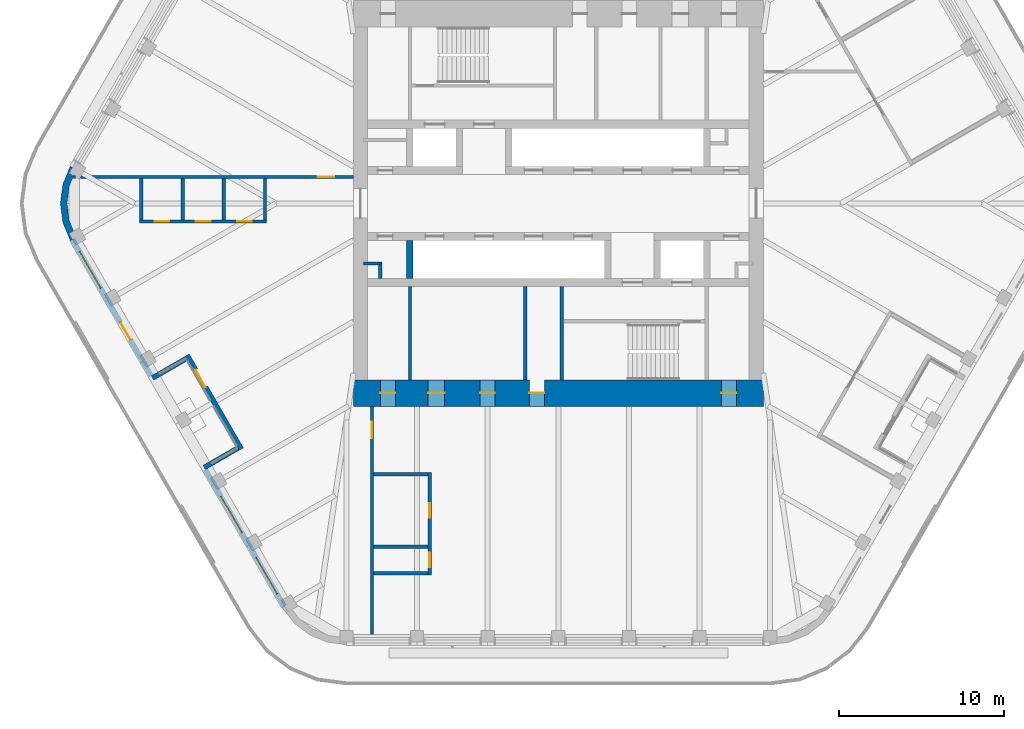
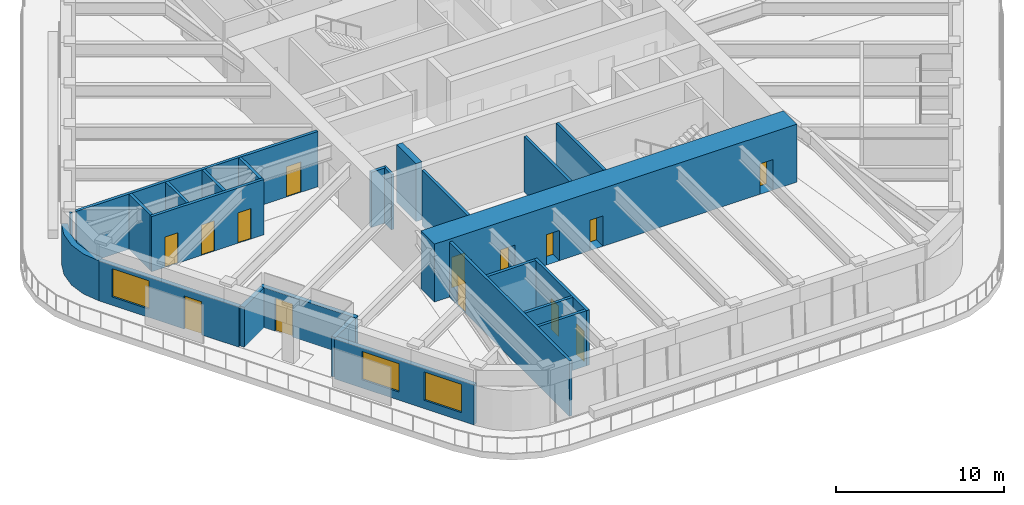
# One storey, part 13 of 19: 25 walls, 14 doors, 3 windows, 17 openings.
"""IFC4 building model written with IfcOpenShell, lengths in metres."""

from ifc_helpers import new_model, si_unit, direction, frame, frame_2d, origin, place, context, subcontext, project, spatial, polyline, rectangle, outline, extrude, material, layer, layer_set, type_object, element, fill, save


model = new_model("IFC4")

# Units and contexts
model_context = context("Model", 3, precision=1e-05, world=origin(), true_north=direction((0.0, 1.0)))
body_context = subcontext(model_context, "Body", "Model", "MODEL_VIEW")
ifc_project = project(units=[si_unit("LENGTHUNIT", "METRE"), si_unit("AREAUNIT", "SQUARE_METRE"), si_unit("VOLUMEUNIT", "CUBIC_METRE"), si_unit("PLANEANGLEUNIT", "RADIAN"), si_unit("MASSUNIT", "GRAM", prefix="KILO")], contexts=[model_context])

# Site, building, storey
site_placement = place(None, origin())
site = spatial("IfcSite", under=ifc_project, at=site_placement, CompositionType="ELEMENT")
building_placement = place(site_placement, origin())
building = spatial("IfcBuilding", under=site, at=building_placement, Name="Tarfa Lantern Tower", CompositionType="ELEMENT")
storey_placement = place(building_placement, frame((0.0, 0.0, 387.10009765625)))
storey = spatial("IfcBuildingStorey", under=building, at=storey_placement, Name="L88", CompositionType="ELEMENT", Elevation=387.10009765625)

# Wall, openings, door, window
ifc_material_1 = material(Name="Limestone cladding on blockwork", Category="masonry")
ifc_layer_1 = layer(ifc_material_1, 0.300048828125)
ifc_layer_set_1 = layer_set([ifc_layer_1], Name="EW1 STONE-CLAD WALL 300")
wall_type_1 = type_object("IfcWallType", Name="EW1 STONE-CLAD WALL 300", PredefinedType="SOLIDWALL", material=ifc_layer_set_1)
wall_1_placement = place(storey_placement, frame((-29.459228515625, -2.175048828125, 0.0), z_axis=(0.0, 0.0, 1.0), x_axis=(0.499996453679, -0.866027451244, 0.0)))
wall_1 = element("IfcWall", 1, at=wall_1_placement, inside=storey, type_object=wall_type_1, Name="Stone wall SW", PredefinedType="SOLIDWALL", context=body_context, shape_type="SweptSolid", body=[
    extrude(rectangle(XDim=9.56396484375, YDim=0.300048828125, at=frame_2d((4.781982421875, 0.0))), origin(), (0.0, 0.0, 1.0), 2.89990234375),
])
opening_1_placement = place(wall_1_placement, frame((0.865966796875, 0.0, 0.60009765625)))
opening_1 = element("IfcOpeningElement", 2, at=opening_1_placement, cuts=wall_1, Name="Opening W17", PredefinedType="OPENING", context=body_context, shape_type="SweptSolid", body=[
    extrude(rectangle(XDim=2.550048828125, YDim=2.050048828125, at=frame_2d((1.27490234375, 1.02490234375))), frame((0.0, 0.159912109375, 0.0), z_axis=(0.0, -1.0, 0.0), x_axis=(1.0, 0.0, 0.0)), (0.0, 0.0, 1.0), 0.320068359375),
])
opening_2_placement = place(wall_1_placement, frame((5.822998046875, 0.0, 0.0)))
opening_2 = element("IfcOpeningElement", 3, at=opening_2_placement, cuts=wall_1, Name="Opening D38", PredefinedType="OPENING", context=body_context, shape_type="SweptSolid", body=[
    extrude(rectangle(XDim=1.199951171875, YDim=2.39990234375, at=frame_2d((0.60009765625, 1.199951171875))), frame((0.0, 0.159912109375, 0.0), z_axis=(0.0, -1.0, 0.0), x_axis=(1.0, 0.0, 0.0)), (0.0, 0.0, 1.0), 0.320068359375),
])
ifc_material_2 = material(Name="Aluminium framed glazed door", Category="aluminium")
door_type_1 = type_object("IfcDoorType", Name="BE3 BALCONY DOOR 1200x2400", OperationType="SINGLE_SWING_RIGHT", PredefinedType="DOOR", material=ifc_material_2)
door_1_placement = place(opening_2_placement, origin())
door_1 = element("IfcDoor", 4, at=door_1_placement, inside=storey, type_object=door_type_1, Name="Balcony door SW", OperationType="SINGLE_SWING_LEFT", OverallHeight=2.39990234375, OverallWidth=1.199951171875, PredefinedType="DOOR", context=body_context, shape_type="SweptSolid", body=[
    extrude(rectangle(XDim=1.199951171875, YDim=2.39990234375, at=frame_2d((0.60009765625, 1.199951171875))), frame((0.0, 0.02490234375, 0.0), z_axis=(0.0, -1.0, 0.0), x_axis=(1.0, 0.0, 0.0)), (0.0, 0.0, 1.0), 0.050048828125),
])
fill(opening_2, door_1)
ifc_material_3 = material(Name="Aluminium frame, double glazed", Category="aluminium")
window_type = type_object("IfcWindowType", Name="W17 FULL-HEIGHT GLAZING 2550x2050", PartitioningType="SINGLE_PANEL", PredefinedType="WINDOW", material=ifc_material_3)
window_1_placement = place(opening_1_placement, origin())
window_1 = element("IfcWindow", 5, at=window_1_placement, inside=storey, type_object=window_type, Name="Window SW 1", OverallHeight=2.050048828125, OverallWidth=2.550048828125, PartitioningType="SINGLE_PANEL", PredefinedType="WINDOW", context=body_context, shape_type="SweptSolid", body=[
    extrude(rectangle(XDim=2.550048828125, YDim=2.050048828125, at=frame_2d((1.27490234375, 1.02490234375))), frame((0.0, 0.030029296875, 0.0), z_axis=(0.0, -1.0, 0.0), x_axis=(1.0, 0.0, 0.0)), (0.0, 0.0, 1.0), 0.06005859375),
])
fill(opening_1, window_1)

# Wall, openings, windows
wall_2_placement = place(storey_placement, frame((-21.395263671875, -16.142333984375, 0.0), z_axis=(0.0, 0.0, 1.0), x_axis=(0.499996453679, -0.866027451244, 0.0)))
wall_2 = element("IfcWall", 6, at=wall_2_placement, inside=storey, type_object=wall_type_1, Name="Stone wall SWB", PredefinedType="SOLIDWALL", context=body_context, shape_type="SweptSolid", body=[
    extrude(rectangle(XDim=9.56396484375, YDim=0.300048828125, at=frame_2d((4.781982421875, 0.0))), origin(), (0.0, 0.0, 1.0), 2.89990234375),
])
opening_3_placement = place(wall_2_placement, frame((1.865966796875, 0.0, 0.60009765625)))
opening_3 = element("IfcOpeningElement", 7, at=opening_3_placement, cuts=wall_2, Name="Opening W17", PredefinedType="OPENING", context=body_context, shape_type="SweptSolid", body=[
    extrude(rectangle(XDim=2.550048828125, YDim=2.050048828125, at=frame_2d((1.27490234375, 1.02490234375))), frame((0.0, 0.159912109375, 0.0), z_axis=(0.0, -1.0, 0.0), x_axis=(1.0, 0.0, 0.0)), (0.0, 0.0, 1.0), 0.320068359375),
])
opening_4_placement = place(wall_2_placement, frame((6.14794921875, 0.0, 0.60009765625)))
opening_4 = element("IfcOpeningElement", 8, at=opening_4_placement, cuts=wall_2, Name="Opening W17", PredefinedType="OPENING", context=body_context, shape_type="SweptSolid", body=[
    extrude(rectangle(XDim=2.550048828125, YDim=2.050048828125, at=frame_2d((1.27490234375, 1.02490234375))), frame((0.0, 0.159912109375, 0.0), z_axis=(0.0, -1.0, 0.0), x_axis=(1.0, 0.0, 0.0)), (0.0, 0.0, 1.0), 0.320068359375),
])
window_2_placement = place(opening_3_placement, origin())
window_2 = element("IfcWindow", 9, at=window_2_placement, inside=storey, type_object=window_type, Name="Window SWB 1", OverallHeight=2.050048828125, OverallWidth=2.550048828125, PartitioningType="SINGLE_PANEL", PredefinedType="WINDOW", context=body_context, shape_type="SweptSolid", body=[
    extrude(rectangle(XDim=2.550048828125, YDim=2.050048828125, at=frame_2d((1.27490234375, 1.02490234375))), frame((0.0, 0.030029296875, 0.0), z_axis=(0.0, -1.0, 0.0), x_axis=(1.0, 0.0, 0.0)), (0.0, 0.0, 1.0), 0.06005859375),
])
fill(opening_3, window_2)
window_3_placement = place(opening_4_placement, origin())
window_3 = element("IfcWindow", 10, at=window_3_placement, inside=storey, type_object=window_type, Name="Window SWB 2", OverallHeight=2.050048828125, OverallWidth=2.550048828125, PartitioningType="SINGLE_PANEL", PredefinedType="WINDOW", context=body_context, shape_type="SweptSolid", body=[
    extrude(rectangle(XDim=2.550048828125, YDim=2.050048828125, at=frame_2d((1.27490234375, 1.02490234375))), frame((0.0, 0.030029296875, 0.0), z_axis=(0.0, -1.0, 0.0), x_axis=(1.0, 0.0, 0.0)), (0.0, 0.0, 1.0), 0.06005859375),
])
fill(opening_4, window_3)

# Walls
for number, where, z_axis, x_axis, name in (
    (11, (-24.602294921875, -10.587646484375, 0.0), (0.0, 0.0, 1.0), (0.866016039709, 0.500016218704, 0.0), "Terrace return SW 1"),
    (12, (-21.47021484375, -16.012451171875, 0.0), (0.0, 0.0, 1.0), (0.866016039709, 0.500016218704, 0.0), "Terrace return SW 2"),
):
    element("IfcWall", number, at=place(storey_placement, frame(where, z_axis=z_axis, x_axis=x_axis)), inside=storey, type_object=wall_type_1, Name=name, PredefinedType="SOLIDWALL", context=body_context, shape_type="SweptSolid", body=[
        extrude(rectangle(XDim=2.35009765625, YDim=0.300048828125, at=frame_2d((1.175048828125, 0.0))), origin(), (0.0, 0.0, 1.0), 2.89990234375),
    ])

# Wall, opening, door
wall_3_placement = place(storey_placement, frame((-22.51220703125, -9.207763671875, 0.0), z_axis=(0.0, 0.0, 1.0), x_axis=(0.499999339774, -0.866025784966, 0.0)))
wall_3 = element("IfcWall", 13, at=wall_3_placement, inside=storey, type_object=wall_type_1, Name="Stone wall SWS", PredefinedType="SOLIDWALL", context=body_context, shape_type="SweptSolid", body=[
    extrude(rectangle(XDim=6.56396484375, YDim=0.300048828125, at=frame_2d((3.281982421875, 0.0))), origin(), (0.0, 0.0, 1.0), 2.89990234375),
])
opening_5_placement = place(wall_3_placement, frame((1.041015625, 0.0, 0.0)))
opening_5 = element("IfcOpeningElement", 14, at=opening_5_placement, cuts=wall_3, Name="Opening D39", PredefinedType="OPENING", context=body_context, shape_type="SweptSolid", body=[
    extrude(rectangle(XDim=1.199951171875, YDim=2.39990234375, at=frame_2d((0.60009765625, 1.199951171875))), frame((0.0, 0.159912109375, 0.0), z_axis=(0.0, -1.0, 0.0), x_axis=(1.0, 0.0, 0.0)), (0.0, 0.0, 1.0), 0.320068359375),
])
door_2_placement = place(opening_5_placement, origin())
door_2 = element("IfcDoor", 15, at=door_2_placement, inside=storey, type_object=door_type_1, Name="Balcony door SWS", OperationType="SINGLE_SWING_RIGHT", OverallHeight=2.39990234375, OverallWidth=1.199951171875, PredefinedType="DOOR", context=body_context, shape_type="SweptSolid", body=[
    extrude(rectangle(XDim=1.199951171875, YDim=2.39990234375, at=frame_2d((0.60009765625, 1.199951171875))), frame((0.0, 0.02490234375, 0.0), z_axis=(0.0, -1.0, 0.0), x_axis=(1.0, 0.0, 0.0)), (0.0, 0.0, 1.0), 0.050048828125),
])
fill(opening_5, door_2)

# Walls
ifc_layer_2 = layer(ifc_material_1, 0.39990234375)
ifc_layer_set_2 = layer_set([ifc_layer_2], Name="EW2 CURVED STONE CORNER 400")
wall_type_2 = type_object("IfcWallType", Name="EW2 CURVED STONE CORNER 400", PredefinedType="SOLIDWALL", material=ifc_layer_set_2)
wall_4_placement = place(storey_placement, origin())
element("IfcWall", 16, at=wall_4_placement, inside=storey, type_object=wall_type_2, Name="Stone corner NW-SW", PredefinedType="SOLIDWALL", context=body_context, shape_type="SweptSolid", body=[
    extrude(outline(polyline([(-29.589111328125, 2.25), (-30.038818359375, 1.164794921875), (-30.192138671875, 0.0), (-30.038818359375, -1.164794921875), (-29.589111328125, -2.25), (-29.24267578125, -2.050048828125), (-29.65234375, -1.061279296875), (-29.7919921875, 0.0), (-29.65234375, 1.061279296875), (-29.24267578125, 2.050048828125), (-29.589111328125, 2.25)])), origin(), (0.0, 0.0, 1.0), 2.89990234375),
])
ifc_material_4 = material(Name="Concrete blockwork", Category="masonry")
ifc_layer_3 = layer(ifc_material_4, 0.199951171875)
ifc_layer_set_3 = layer_set([ifc_layer_3], Name="IW1 BLOCKWORK PARTITION 200 EI 120")
wall_type_3 = type_object("IfcWallType", Name="IW1 BLOCKWORK PARTITION 200 EI 120", PredefinedType="PARTITIONING", material=ifc_layer_set_3)
for number, where, z_axis, x_axis, name in (
    (17, (-9.0, -5.050048828125, 0.0), (0.0, 0.0, 1.0), (0.0, -1.0, 0.0), "Core partition"),
    (18, (-2.0, -5.050048828125, 0.0), (0.0, 0.0, 1.0), (0.0, -1.0, 0.0), "Core partition"),
):
    element("IfcWall", number, at=place(storey_placement, frame(where, z_axis=z_axis, x_axis=x_axis)), inside=storey, type_object=wall_type_3, Name=name, PredefinedType="PARTITIONING", context=body_context, shape_type="SweptSolid", body=[
        extrude(rectangle(XDim=5.64990234375, YDim=0.199951171875, at=frame_2d((2.824951171875, 0.0))), origin(), (0.0, 0.0, 1.0), 4.0),
    ])
for number, where, z_axis, x_axis, name in (
    (19, (-10.800048828125, -3.64990234375, 0.0), (0.0, 0.0, 1.0), (-1.0, 0.0, 0.0), "Core partition"),
    (20, (-10.800048828125, -3.550048828125, 0.0), (0.0, 0.0, 1.0), (0.0, -1.0, 0.0), "Core partition"),
):
    element("IfcWall", number, at=place(storey_placement, frame(where, z_axis=z_axis, x_axis=x_axis)), inside=storey, type_object=wall_type_3, Name=name, PredefinedType="PARTITIONING", context=body_context, shape_type="SweptSolid", body=[
        extrude(rectangle(XDim=1.0, YDim=0.199951171875, at=frame_2d((0.5, 0.0))), origin(), (0.0, 0.0, 1.0), 4.0),
    ])

# Wall, opening, door
ifc_material_5 = material(Name="Gypsum board on steel studs", Category="steel")
ifc_layer_4 = layer(ifc_material_5, 0.2099609375)
ifc_layer_set_4 = layer_set([ifc_layer_4], Name="IW2 ACOUSTIC PARTITION 200")
wall_type_4 = type_object("IfcWallType", Name="IW2 ACOUSTIC PARTITION 200", PredefinedType="PARTITIONING", material=ifc_layer_set_4)
wall_5_placement = place(storey_placement, frame((-11.300048828125, -12.300048828125, 0.0), z_axis=(0.0, 0.0, 1.0), x_axis=(0.0, -1.0, 0.0)))
wall_5 = element("IfcWall", 21, at=wall_5_placement, inside=storey, type_object=wall_type_4, Name="Partition", PredefinedType="PARTITIONING", context=body_context, shape_type="SweptSolid", body=[
    extrude(rectangle(XDim=14.25, YDim=0.199951171875, at=frame_2d((7.125, 0.0))), origin(), (0.0, 0.0, 1.0), 4.0),
])
opening_6_placement = place(wall_5_placement, frame((0.925048828125, 0.0, 0.0)))
opening_6 = element("IfcOpeningElement", 22, at=opening_6_placement, cuts=wall_5, Name="Opening D32", PredefinedType="OPENING", context=body_context, shape_type="SweptSolid", body=[
    extrude(rectangle(XDim=1.0, YDim=2.199951171875, at=frame_2d((0.5, 1.10009765625))), frame((0.0, 0.10986328125, 0.0), z_axis=(0.0, -1.0, 0.0), x_axis=(1.0, 0.0, 0.0)), (0.0, 0.0, 1.0), 0.219970703125),
])
ifc_material_6 = material(Name="Timber door", Category="wood")
door_type_2 = type_object("IfcDoorType", Name="DR1 ROOM DOOR 1000x2200", OperationType="SINGLE_SWING_LEFT", PredefinedType="DOOR", material=ifc_material_6)
door_3_placement = place(opening_6_placement, frame((1.0, 0.0, 0.0), z_axis=(0.0, 0.0, 1.0), x_axis=(-1.0, 0.0, 0.0)))
door_3 = element("IfcDoor", 23, at=door_3_placement, inside=storey, type_object=door_type_2, Name="Zone door", OperationType="SINGLE_SWING_LEFT", OverallHeight=2.199951171875, OverallWidth=1.0, PredefinedType="DOOR", context=body_context, shape_type="SweptSolid", body=[
    extrude(rectangle(XDim=1.0, YDim=2.199951171875, at=frame_2d((0.5, 1.10009765625))), frame((0.0, 0.02490234375, 0.0), z_axis=(0.0, -1.0, 0.0), x_axis=(1.0, 0.0, 0.0)), (0.0, 0.0, 1.0), 0.050048828125),
])
fill(opening_6, door_3)

wall_6_placement = place(storey_placement, frame((-12.425048828125, 1.60009765625, 0.0), z_axis=(0.0, 0.0, 1.0), x_axis=(-1.0, 0.0, 0.0)))
wall_6 = element("IfcWall", 24, at=wall_6_placement, inside=storey, type_object=wall_type_4, Name="Partition", PredefinedType="PARTITIONING", context=body_context, shape_type="SweptSolid", body=[
    extrude(rectangle(XDim=16.557861328125, YDim=0.199951171875, at=frame_2d((8.27880859375, 0.0))), origin(), (0.0, 0.0, 1.0), 4.0),
])
opening_7_placement = place(wall_6_placement, frame((1.15576171875, 0.0, 0.0)))
opening_7 = element("IfcOpeningElement", 25, at=opening_7_placement, cuts=wall_6, Name="Opening D33", PredefinedType="OPENING", context=body_context, shape_type="SweptSolid", body=[
    extrude(rectangle(XDim=1.0, YDim=2.199951171875, at=frame_2d((0.5, 1.10009765625))), frame((0.0, 0.10986328125, 0.0), z_axis=(0.0, -1.0, 0.0), x_axis=(1.0, 0.0, 0.0)), (0.0, 0.0, 1.0), 0.219970703125),
])
door_4_placement = place(opening_7_placement, origin())
door_4 = element("IfcDoor", 26, at=door_4_placement, inside=storey, type_object=door_type_2, Name="Zone door", OperationType="SINGLE_SWING_RIGHT", OverallHeight=2.199951171875, OverallWidth=1.0, PredefinedType="DOOR", context=body_context, shape_type="SweptSolid", body=[
    extrude(rectangle(XDim=1.0, YDim=2.199951171875, at=frame_2d((0.5, 1.10009765625))), frame((0.0, 0.02490234375, 0.0), z_axis=(0.0, -1.0, 0.0), x_axis=(1.0, 0.0, 0.0)), (0.0, 0.0, 1.0), 0.050048828125),
])
fill(opening_7, door_4)

# Wall
wall_7_placement = place(storey_placement, frame((-29.263427734375, 1.60009765625, 0.0), z_axis=(0.0, 0.0, 1.0), x_axis=(-1.0, 0.0, 0.0)))
element("IfcWall", 27, at=wall_7_placement, inside=storey, type_object=wall_type_4, Name="Partition", PredefinedType="PARTITIONING", context=body_context, shape_type="SweptSolid", body=[
    extrude(rectangle(XDim=0.12451171875, YDim=0.199951171875, at=frame_2d((0.062255859375, 0.0))), origin(), (0.0, 0.0, 1.0), 4.0),
])

# Wall, openings, doors
wall_8_placement = place(storey_placement, frame((-7.800048828125, -16.324951171875, 0.0), z_axis=(0.0, 0.0, 1.0), x_axis=(0.0, -1.0, 0.0)))
wall_8 = element("IfcWall", 28, at=wall_8_placement, inside=storey, type_object=wall_type_4, Name="Partition", PredefinedType="PARTITIONING", context=body_context, shape_type="SweptSolid", body=[
    extrude(rectangle(XDim=6.199951171875, YDim=0.199951171875, at=frame_2d((3.10009765625, 0.0))), origin(), (0.0, 0.0, 1.0), 4.0),
])
opening_8_placement = place(wall_8_placement, frame((1.85009765625, 0.0, 0.0)))
opening_8 = element("IfcOpeningElement", 29, at=opening_8_placement, cuts=wall_8, Name="Opening D26", PredefinedType="OPENING", context=body_context, shape_type="SweptSolid", body=[
    extrude(rectangle(XDim=0.89990234375, YDim=2.199951171875, at=frame_2d((0.449951171875, 1.10009765625))), frame((0.0, 0.10986328125, 0.0), z_axis=(0.0, -1.0, 0.0), x_axis=(1.0, 0.0, 0.0)), (0.0, 0.0, 1.0), 0.219970703125),
])
opening_9_placement = place(wall_8_placement, frame((4.85009765625, 0.0, 0.0)))
opening_9 = element("IfcOpeningElement", 30, at=opening_9_placement, cuts=wall_8, Name="Opening D27", PredefinedType="OPENING", context=body_context, shape_type="SweptSolid", body=[
    extrude(rectangle(XDim=0.89990234375, YDim=2.199951171875, at=frame_2d((0.449951171875, 1.10009765625))), frame((0.0, 0.10986328125, 0.0), z_axis=(0.0, -1.0, 0.0), x_axis=(1.0, 0.0, 0.0)), (0.0, 0.0, 1.0), 0.219970703125),
])
door_type_3 = type_object("IfcDoorType", Name="DR3 ROOM DOOR 900x2200", OperationType="SINGLE_SWING_LEFT", PredefinedType="DOOR", material=ifc_material_6)
door_5_placement = place(opening_8_placement, frame((0.89990234375, 0.0, 0.0), z_axis=(0.0, 0.0, 1.0), x_axis=(-1.0, 0.0, 0.0)))
door_5 = element("IfcDoor", 31, at=door_5_placement, inside=storey, type_object=door_type_3, Name="Meeting room door", OperationType="SINGLE_SWING_LEFT", OverallHeight=2.199951171875, OverallWidth=0.89990234375, PredefinedType="DOOR", context=body_context, shape_type="SweptSolid", body=[
    extrude(rectangle(XDim=0.89990234375, YDim=2.199951171875, at=frame_2d((0.449951171875, 1.10009765625))), frame((0.0, 0.02490234375, 0.0), z_axis=(0.0, -1.0, 0.0), x_axis=(1.0, 0.0, 0.0)), (0.0, 0.0, 1.0), 0.050048828125),
])
fill(opening_8, door_5)
door_6_placement = place(opening_9_placement, frame((0.89990234375, 0.0, 0.0), z_axis=(0.0, 0.0, 1.0), x_axis=(-1.0, 0.0, 0.0)))
door_6 = element("IfcDoor", 32, at=door_6_placement, inside=storey, type_object=door_type_3, Name="Phone booth door", OperationType="SINGLE_SWING_RIGHT", OverallHeight=2.199951171875, OverallWidth=0.89990234375, PredefinedType="DOOR", context=body_context, shape_type="SweptSolid", body=[
    extrude(rectangle(XDim=0.89990234375, YDim=2.199951171875, at=frame_2d((0.449951171875, 1.10009765625))), frame((0.0, 0.02490234375, 0.0), z_axis=(0.0, -1.0, 0.0), x_axis=(1.0, 0.0, 0.0)), (0.0, 0.0, 1.0), 0.050048828125),
])
fill(opening_9, door_6)

# Walls
for number, where, z_axis, x_axis, name in (
    (33, (-11.199951171875, -16.425048828125, 0.0), (0.0, 0.0, 1.0), (1.0, 0.0, 0.0), "Partition"),
    (34, (-11.199951171875, -20.824951171875, 0.0), (0.0, 0.0, 1.0), (1.0, 0.0, 0.0), "Partition"),
    (35, (-11.199951171875, -22.425048828125, 0.0), (0.0, 0.0, 1.0), (1.0, 0.0, 0.0), "Partition"),
):
    element("IfcWall", number, at=place(storey_placement, frame(where, z_axis=z_axis, x_axis=x_axis)), inside=storey, type_object=wall_type_4, Name=name, PredefinedType="PARTITIONING", context=body_context, shape_type="SweptSolid", body=[
        extrude(rectangle(XDim=3.300048828125, YDim=0.199951171875, at=frame_2d((1.64990234375, 0.0))), origin(), (0.0, 0.0, 1.0), 4.0),
    ])

# Wall, openings, doors
wall_9_placement = place(storey_placement, frame((-17.681884765625, -1.10009765625, 0.0), z_axis=(0.0, 0.0, 1.0), x_axis=(-1.0, 0.0, 0.0)))
wall_9 = element("IfcWall", 36, at=wall_9_placement, inside=storey, type_object=wall_type_4, Name="Partition", PredefinedType="PARTITIONING", context=body_context, shape_type="SweptSolid", body=[
    extrude(rectangle(XDim=7.699951171875, YDim=0.199951171875, at=frame_2d((3.85009765625, 0.0))), origin(), (0.0, 0.0, 1.0), 4.0),
])
opening_10_placement = place(wall_9_placement, frame((0.89990234375, 0.0, 0.0)))
opening_10 = element("IfcOpeningElement", 37, at=opening_10_placement, cuts=wall_9, Name="Opening D28", PredefinedType="OPENING", context=body_context, shape_type="SweptSolid", body=[
    extrude(rectangle(XDim=0.89990234375, YDim=2.199951171875, at=frame_2d((0.449951171875, 1.10009765625))), frame((0.0, 0.10986328125, 0.0), z_axis=(0.0, -1.0, 0.0), x_axis=(1.0, 0.0, 0.0)), (0.0, 0.0, 1.0), 0.219970703125),
])
opening_11_placement = place(wall_9_placement, frame((3.39990234375, 0.0, 0.0)))
opening_11 = element("IfcOpeningElement", 38, at=opening_11_placement, cuts=wall_9, Name="Opening D29", PredefinedType="OPENING", context=body_context, shape_type="SweptSolid", body=[
    extrude(rectangle(XDim=0.89990234375, YDim=2.199951171875, at=frame_2d((0.449951171875, 1.10009765625))), frame((0.0, 0.10986328125, 0.0), z_axis=(0.0, -1.0, 0.0), x_axis=(1.0, 0.0, 0.0)), (0.0, 0.0, 1.0), 0.219970703125),
])
opening_12_placement = place(wall_9_placement, frame((5.89990234375, 0.0, 0.0)))
opening_12 = element("IfcOpeningElement", 39, at=opening_12_placement, cuts=wall_9, Name="Opening D30", PredefinedType="OPENING", context=body_context, shape_type="SweptSolid", body=[
    extrude(rectangle(XDim=0.89990234375, YDim=2.199951171875, at=frame_2d((0.449951171875, 1.10009765625))), frame((0.0, 0.10986328125, 0.0), z_axis=(0.0, -1.0, 0.0), x_axis=(1.0, 0.0, 0.0)), (0.0, 0.0, 1.0), 0.219970703125),
])
door_7_placement = place(opening_10_placement, frame((0.89990234375, 0.0, 0.0), z_axis=(0.0, 0.0, 1.0), x_axis=(-1.0, 0.0, 0.0)))
door_7 = element("IfcDoor", 40, at=door_7_placement, inside=storey, type_object=door_type_3, Name="Focus room door", OperationType="SINGLE_SWING_LEFT", OverallHeight=2.199951171875, OverallWidth=0.89990234375, PredefinedType="DOOR", context=body_context, shape_type="SweptSolid", body=[
    extrude(rectangle(XDim=0.89990234375, YDim=2.199951171875, at=frame_2d((0.449951171875, 1.10009765625))), frame((0.0, 0.02490234375, 0.0), z_axis=(0.0, -1.0, 0.0), x_axis=(1.0, 0.0, 0.0)), (0.0, 0.0, 1.0), 0.050048828125),
])
fill(opening_10, door_7)
door_8_placement = place(opening_11_placement, frame((0.89990234375, 0.0, 0.0), z_axis=(0.0, 0.0, 1.0), x_axis=(-1.0, 0.0, 0.0)))
door_8 = element("IfcDoor", 41, at=door_8_placement, inside=storey, type_object=door_type_3, Name="Focus room door", OperationType="SINGLE_SWING_RIGHT", OverallHeight=2.199951171875, OverallWidth=0.89990234375, PredefinedType="DOOR", context=body_context, shape_type="SweptSolid", body=[
    extrude(rectangle(XDim=0.89990234375, YDim=2.199951171875, at=frame_2d((0.449951171875, 1.10009765625))), frame((0.0, 0.02490234375, 0.0), z_axis=(0.0, -1.0, 0.0), x_axis=(1.0, 0.0, 0.0)), (0.0, 0.0, 1.0), 0.050048828125),
])
fill(opening_11, door_8)
door_9_placement = place(opening_12_placement, frame((0.89990234375, 0.0, 0.0), z_axis=(0.0, 0.0, 1.0), x_axis=(-1.0, 0.0, 0.0)))
door_9 = element("IfcDoor", 42, at=door_9_placement, inside=storey, type_object=door_type_3, Name="Focus room door", OperationType="SINGLE_SWING_RIGHT", OverallHeight=2.199951171875, OverallWidth=0.89990234375, PredefinedType="DOOR", context=body_context, shape_type="SweptSolid", body=[
    extrude(rectangle(XDim=0.89990234375, YDim=2.199951171875, at=frame_2d((0.449951171875, 1.10009765625))), frame((0.0, 0.02490234375, 0.0), z_axis=(0.0, -1.0, 0.0), x_axis=(1.0, 0.0, 0.0)), (0.0, 0.0, 1.0), 0.050048828125),
])
fill(opening_12, door_9)

# Walls
for number, where, z_axis, x_axis, name in (
    (43, (-17.781982421875, 1.5, 0.0), (0.0, 0.0, 1.0), (0.0, -1.0, 0.0), "Partition"),
    (44, (-20.281982421875, 1.5, 0.0), (0.0, 0.0, 1.0), (0.0, -1.0, 0.0), "Partition"),
    (45, (-22.781982421875, 1.5, 0.0), (0.0, 0.0, 1.0), (0.0, -1.0, 0.0), "Partition"),
    (46, (-25.281982421875, 1.5, 0.0), (0.0, 0.0, 1.0), (0.0, -1.0, 0.0), "Partition"),
):
    element("IfcWall", number, at=place(storey_placement, frame(where, z_axis=z_axis, x_axis=x_axis)), inside=storey, type_object=wall_type_4, Name=name, PredefinedType="PARTITIONING", context=body_context, shape_type="SweptSolid", body=[
        extrude(rectangle(XDim=2.5, YDim=0.199951171875, at=frame_2d((1.25, 0.0))), origin(), (0.0, 0.0, 1.0), 4.0),
    ])
ifc_material_7 = material(Name="Concrete C80/95", Category="concrete")
ifc_layer_5 = layer(ifc_material_7, 0.199951171875)
ifc_layer_set_5 = layer_set([ifc_layer_5], Name="SW12 CORE WALL 200")
wall_type_5 = type_object("IfcWallType", Name="SW12 CORE WALL 200", PredefinedType="SHEAR", material=ifc_layer_set_5)
wall_10_placement = place(storey_placement, frame((0.199951171875, -5.050048828125, 0.0), z_axis=(0.0, 0.0, 1.0), x_axis=(0.0, -1.0, 0.0)))
element("IfcWall", 47, at=wall_10_placement, inside=storey, type_object=wall_type_5, Name="Core wall stair shaft S", PredefinedType="SHEAR", context=body_context, shape_type="SweptSolid", body=[
    extrude(rectangle(XDim=5.64990234375, YDim=0.199951171875, at=frame_2d((2.824951171875, 0.0))), origin(), (0.0, 0.0, 1.0), 4.199951171875),
])
ifc_layer_6 = layer(ifc_material_7, 0.39990234375)
ifc_layer_set_6 = layer_set([ifc_layer_6], Name="SW6 CORE WALL 400")
wall_type_6 = type_object("IfcWallType", Name="SW6 CORE WALL 400", PredefinedType="SHEAR", material=ifc_layer_set_6)
wall_11_placement = place(storey_placement, frame((-9.0, -2.25, 0.0), z_axis=(0.0, 0.0, 1.0), x_axis=(0.0, -1.0, 0.0)))
element("IfcWall", 48, at=wall_11_placement, inside=storey, type_object=wall_type_6, Name="Core wall divider S", PredefinedType="SHEAR", context=body_context, shape_type="SweptSolid", body=[
    extrude(rectangle(XDim=2.300048828125, YDim=0.39990234375, at=frame_2d((1.14990234375, 0.0))), origin(), (0.0, 0.0, 1.0), 4.199951171875),
])

# Wall, openings, doors
ifc_layer_7 = layer(ifc_material_7, 1.60009765625)
ifc_layer_set_7 = layer_set([ifc_layer_7], Name="SW7 CORE WALL 1600")
wall_type_7 = type_object("IfcWallType", Name="SW7 CORE WALL 1600", PredefinedType="SHEAR", material=ifc_layer_set_7)
wall_12_placement = place(storey_placement, frame((12.425048828125, -11.5, 0.0), z_axis=(0.0, 0.0, 1.0), x_axis=(-1.0, 0.0, 0.0)))
wall_12 = element("IfcWall", 49, at=wall_12_placement, inside=storey, type_object=wall_type_7, Name="Core wall S", PredefinedType="SHEAR", context=body_context, shape_type="SweptSolid", body=[
    extrude(rectangle(XDim=24.85009765625, YDim=1.60009765625, at=frame_2d((12.425048828125, 0.0))), origin(), (0.0, 0.0, 1.0), 4.199951171875),
])
opening_13_placement = place(wall_12_placement, frame((13.27490234375, 0.0, 0.0)))
opening_13 = element("IfcOpeningElement", 50, at=opening_13_placement, cuts=wall_12, Name="Opening D14", PredefinedType="OPENING", context=body_context, shape_type="SweptSolid", body=[
    extrude(rectangle(XDim=0.89990234375, YDim=2.199951171875, at=frame_2d((0.449951171875, 1.10009765625))), frame((0.0, 0.81005859375, 0.0), z_axis=(0.0, -1.0, 0.0), x_axis=(1.0, 0.0, 0.0)), (0.0, 0.0, 1.0), 1.6201171875),
])
opening_14_placement = place(wall_12_placement, frame((16.27490234375, 0.0, 0.0)))
opening_14 = element("IfcOpeningElement", 51, at=opening_14_placement, cuts=wall_12, Name="Opening D16", PredefinedType="OPENING", context=body_context, shape_type="SweptSolid", body=[
    extrude(rectangle(XDim=0.89990234375, YDim=2.199951171875, at=frame_2d((0.449951171875, 1.10009765625))), frame((0.0, 0.81005859375, 0.0), z_axis=(0.0, -1.0, 0.0), x_axis=(1.0, 0.0, 0.0)), (0.0, 0.0, 1.0), 1.6201171875),
])
opening_15_placement = place(wall_12_placement, frame((19.324951171875, 0.0, 0.0)))
opening_15 = element("IfcOpeningElement", 52, at=opening_15_placement, cuts=wall_12, Name="Opening D18", PredefinedType="OPENING", context=body_context, shape_type="SweptSolid", body=[
    extrude(rectangle(XDim=1.0, YDim=2.199951171875, at=frame_2d((0.5, 1.10009765625))), frame((0.0, 0.81005859375, 0.0), z_axis=(0.0, -1.0, 0.0), x_axis=(1.0, 0.0, 0.0)), (0.0, 0.0, 1.0), 1.6201171875),
])
opening_16_placement = place(wall_12_placement, frame((1.637451171875, 0.0, 0.0)))
opening_16 = element("IfcOpeningElement", 53, at=opening_16_placement, cuts=wall_12, Name="Opening D04", PredefinedType="OPENING", context=body_context, shape_type="SweptSolid", body=[
    extrude(rectangle(XDim=0.89990234375, YDim=2.199951171875, at=frame_2d((0.449951171875, 1.10009765625))), frame((0.0, 0.81005859375, 0.0), z_axis=(0.0, -1.0, 0.0), x_axis=(1.0, 0.0, 0.0)), (0.0, 0.0, 1.0), 1.6201171875),
])
opening_17_placement = place(wall_12_placement, frame((22.3125, 0.0, 0.0)))
opening_17 = element("IfcOpeningElement", 54, at=opening_17_placement, cuts=wall_12, Name="Opening D02", PredefinedType="OPENING", context=body_context, shape_type="SweptSolid", body=[
    extrude(rectangle(XDim=0.89990234375, YDim=2.199951171875, at=frame_2d((0.449951171875, 1.10009765625))), frame((0.0, 0.81005859375, 0.0), z_axis=(0.0, -1.0, 0.0), x_axis=(1.0, 0.0, 0.0)), (0.0, 0.0, 1.0), 1.6201171875),
])
ifc_material_8 = material(Name="Steel fire door", Category="steel")
door_type_4 = type_object("IfcDoorType", Name="DF3 CORE ROOM DOOR 900x2200", OperationType="SINGLE_SWING_LEFT", PredefinedType="DOOR", material=ifc_material_8)
door_10_placement = place(opening_13_placement, frame((0.89990234375, 0.0, 0.0), z_axis=(0.0, 0.0, 1.0), x_axis=(-1.0, 0.0, 0.0)))
door_10 = element("IfcDoor", 55, at=door_10_placement, inside=storey, type_object=door_type_4, Name="Core door", OperationType="SINGLE_SWING_RIGHT", OverallHeight=2.199951171875, OverallWidth=0.89990234375, PredefinedType="DOOR", context=body_context, shape_type="SweptSolid", body=[
    extrude(rectangle(XDim=0.89990234375, YDim=2.199951171875, at=frame_2d((0.449951171875, 1.10009765625))), frame((0.0, 0.02490234375, 0.0), z_axis=(0.0, -1.0, 0.0), x_axis=(1.0, 0.0, 0.0)), (0.0, 0.0, 1.0), 0.050048828125),
])
fill(opening_13, door_10)
door_11_placement = place(opening_14_placement, frame((0.89990234375, 0.0, 0.0), z_axis=(0.0, 0.0, 1.0), x_axis=(-1.0, 0.0, 0.0)))
door_11 = element("IfcDoor", 56, at=door_11_placement, inside=storey, type_object=door_type_4, Name="Core door", OperationType="SINGLE_SWING_LEFT", OverallHeight=2.199951171875, OverallWidth=0.89990234375, PredefinedType="DOOR", context=body_context, shape_type="SweptSolid", body=[
    extrude(rectangle(XDim=0.89990234375, YDim=2.199951171875, at=frame_2d((0.449951171875, 1.10009765625))), frame((0.0, 0.02490234375, 0.0), z_axis=(0.0, -1.0, 0.0), x_axis=(1.0, 0.0, 0.0)), (0.0, 0.0, 1.0), 0.050048828125),
])
fill(opening_14, door_11)
door_type_5 = type_object("IfcDoorType", Name="DF4 CORE ROOM DOOR 1000x2200", OperationType="SINGLE_SWING_LEFT", PredefinedType="DOOR", material=ifc_material_8)
door_12_placement = place(opening_15_placement, frame((1.0, 0.0, 0.0), z_axis=(0.0, 0.0, 1.0), x_axis=(-1.0, 0.0, 0.0)))
door_12 = element("IfcDoor", 57, at=door_12_placement, inside=storey, type_object=door_type_5, Name="Core door", OperationType="SINGLE_SWING_RIGHT", OverallHeight=2.199951171875, OverallWidth=1.0, PredefinedType="DOOR", context=body_context, shape_type="SweptSolid", body=[
    extrude(rectangle(XDim=1.0, YDim=2.199951171875, at=frame_2d((0.5, 1.10009765625))), frame((0.0, 0.02490234375, 0.0), z_axis=(0.0, -1.0, 0.0), x_axis=(1.0, 0.0, 0.0)), (0.0, 0.0, 1.0), 0.050048828125),
])
fill(opening_15, door_12)
door_type_6 = type_object("IfcDoorType", Name="DF5 RISER DOOR 900x2200", OperationType="SINGLE_SWING_LEFT", PredefinedType="DOOR", material=ifc_material_8)
door_13_placement = place(opening_16_placement, frame((0.89990234375, 0.0, 0.0), z_axis=(0.0, 0.0, 1.0), x_axis=(-1.0, 0.0, 0.0)))
door_13 = element("IfcDoor", 58, at=door_13_placement, inside=storey, type_object=door_type_6, Name="Riser door", OperationType="SINGLE_SWING_LEFT", OverallHeight=2.199951171875, OverallWidth=0.89990234375, PredefinedType="DOOR", context=body_context, shape_type="SweptSolid", body=[
    extrude(rectangle(XDim=0.89990234375, YDim=2.199951171875, at=frame_2d((0.449951171875, 1.10009765625))), frame((0.0, 0.02490234375, 0.0), z_axis=(0.0, -1.0, 0.0), x_axis=(1.0, 0.0, 0.0)), (0.0, 0.0, 1.0), 0.050048828125),
])
fill(opening_16, door_13)
door_14_placement = place(opening_17_placement, frame((0.89990234375, 0.0, 0.0), z_axis=(0.0, 0.0, 1.0), x_axis=(-1.0, 0.0, 0.0)))
door_14 = element("IfcDoor", 59, at=door_14_placement, inside=storey, type_object=door_type_6, Name="Riser door", OperationType="SINGLE_SWING_RIGHT", OverallHeight=2.199951171875, OverallWidth=0.89990234375, PredefinedType="DOOR", context=body_context, shape_type="SweptSolid", body=[
    extrude(rectangle(XDim=0.89990234375, YDim=2.199951171875, at=frame_2d((0.449951171875, 1.10009765625))), frame((0.0, 0.02490234375, 0.0), z_axis=(0.0, -1.0, 0.0), x_axis=(1.0, 0.0, 0.0)), (0.0, 0.0, 1.0), 0.050048828125),
])
fill(opening_17, door_14)

save(model, "model.ifc")
